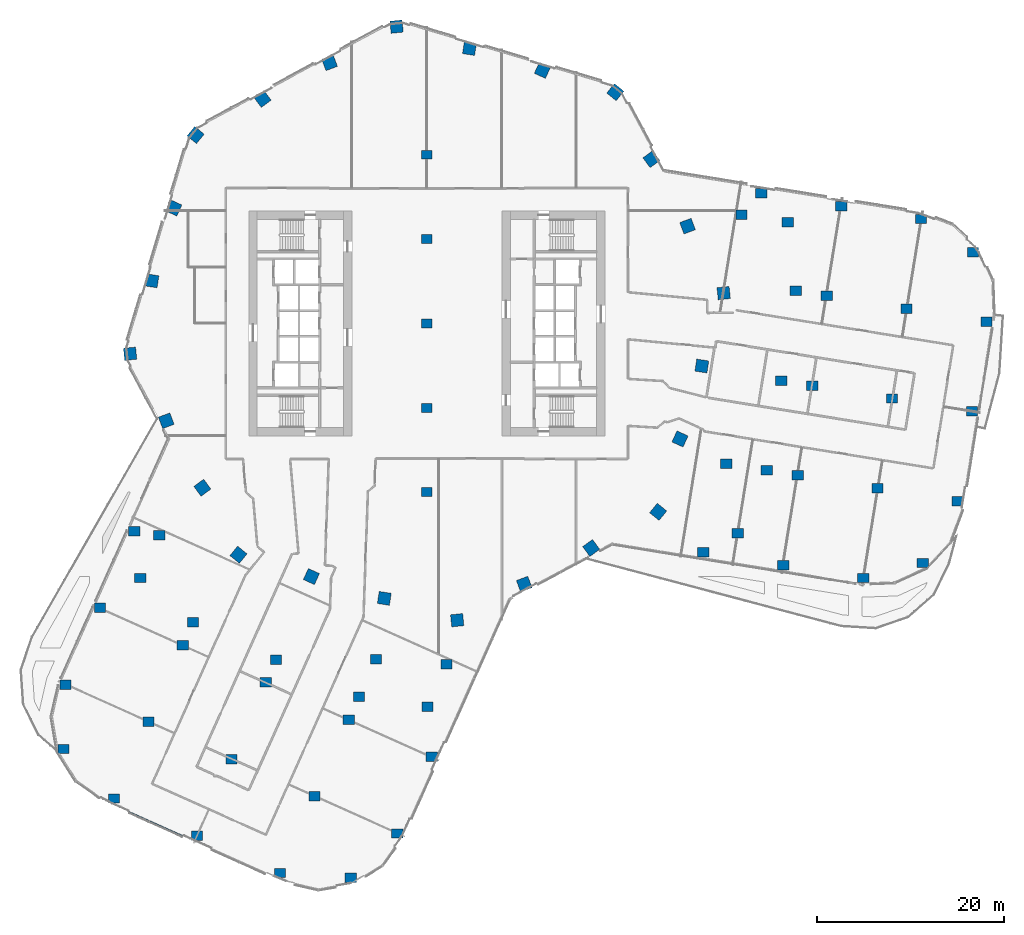
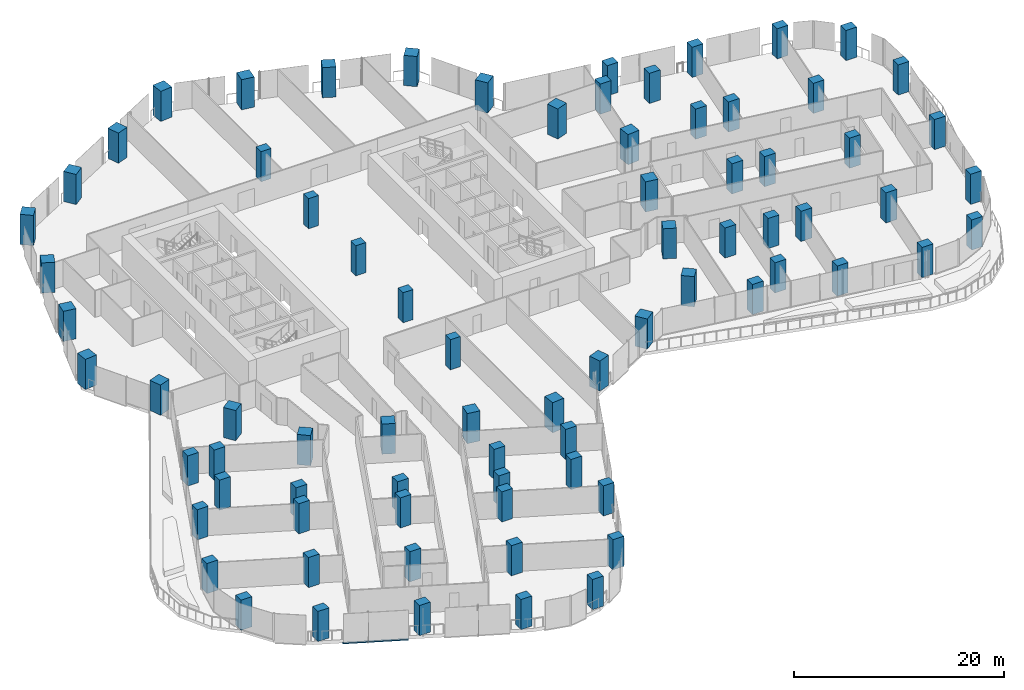
# One storey, part 1 of 32: 77 columns, 1 member, 1 element without a shape of its own.
"""IFC4 building model written with IfcOpenShell, lengths in metres."""

from ifc_helpers import new_model, si_unit, direction, frame, origin, origin_2d, place, context, subcontext, project, spatial, rectangle, extrude, material, material_profile, profile_set, type_object, element, aggregate, save


model = new_model("IFC4")

# Units and contexts
model_context = context("Model", 3, precision=1e-05, world=origin(), true_north=direction((0.0, 1.0)))
body_context = subcontext(model_context, "Body", "Model", "MODEL_VIEW")
ifc_project = project(units=[si_unit("LENGTHUNIT", "METRE"), si_unit("AREAUNIT", "SQUARE_METRE"), si_unit("VOLUMEUNIT", "CUBIC_METRE"), si_unit("PLANEANGLEUNIT", "RADIAN"), si_unit("MASSUNIT", "GRAM", prefix="KILO")], contexts=[model_context])

# Site, building, storey
site_placement = place(None, origin())
site = spatial("IfcSite", under=ifc_project, at=site_placement, CompositionType="ELEMENT")
building_placement = place(site_placement, origin())
building = spatial("IfcBuilding", under=site, at=building_placement, Name="Orlundy Tower", CompositionType="ELEMENT")
storey_placement = place(building_placement, frame((0.0, 0.0, 123.699951171875)))
storey = spatial("IfcBuildingStorey", under=building, at=storey_placement, Name="L31", CompositionType="ELEMENT", Elevation=123.699951171875)

# Columns
ifc_material_1 = material(Name="Concrete C80/95", Category="concrete")
ifc_material_profile_1 = material_profile(ifc_material_1, rectangle(XDim=1.10009765625, YDim=0.949951171875, at=origin_2d()), Name="RC1100X950")
ifc_profile_set_1 = profile_set([ifc_material_profile_1], Name="Concrete C80/95")
column_type_1 = type_object("IfcColumnType", Name="RC COLUMN RC1100X950 C80/95", PredefinedType="COLUMN", material=ifc_profile_set_1)
for number, where, z_axis, x_axis, name in (
    (1, (0.0, -18.0, 0.0), (0.0, 0.0, 1.0), (1.0, 0.0, 0.0), "Column C-M1 L31"),
    (2, (0.0, -9.0, 0.0), (0.0, 0.0, 1.0), (1.0, 0.0, 0.0), "Column C-M2 L31"),
    (3, (0.0, 0.0, 0.0), (0.0, 0.0, 1.0), (1.0, 0.0, 0.0), "Column C-M3 L31"),
    (4, (0.0, 9.0, 0.0), (0.0, 0.0, 1.0), (1.0, 0.0, 0.0), "Column C-M4 L31"),
    (5, (0.0, 18.0, 0.0), (0.0, 0.0, 1.0), (1.0, 0.0, 0.0), "Column C-M5 L31"),
):
    element("IfcColumn", number, at=place(storey_placement, frame(where, z_axis=z_axis, x_axis=x_axis)), inside=storey, type_object=column_type_1, Name=name, PredefinedType="COLUMN", context=body_context, shape_type="SweptSolid", body=[
        extrude(rectangle(XDim=1.10009765625, YDim=0.949951171875, at=origin_2d()), origin(), (0.0, 0.0, 1.0), 3.5),
    ])
ifc_material_2 = material(Name="Concrete C80/95", Category="concrete")
ifc_material_profile_2 = material_profile(ifc_material_2, rectangle(XDim=1.199951171875, YDim=1.0, at=origin_2d()), Name="RC1200X1000")
ifc_profile_set_2 = profile_set([ifc_material_profile_2], Name="Concrete C80/95")
column_type_2 = type_object("IfcColumnType", Name="RC COLUMN RC1200X1000 C80/95", PredefinedType="COLUMN", material=ifc_profile_set_2)
for number, where, z_axis, x_axis, name in (
    (6, (29.488037109375, -24.408935546875, 0.0), (0.0, 0.0, 1.0), (1.0, 0.0, 0.0), "Column C-A1-1 L31"),
    (7, (38.010986328125, -25.784912109375, 0.0), (0.0, 0.0, 1.0), (1.0, 0.0, 0.0), "Column C-A1-2 L31"),
    (8, (46.534912109375, -27.156005859375, 0.0), (0.0, 0.0, 1.0), (1.0, 0.0, 0.0), "Column C-A1-3 L31"),
    (9, (52.89892578125, -25.547119140625, 0.0), (0.0, 0.0, 1.0), (1.0, 0.0, 0.0), "Column C-A1-5 L31"),
    (10, (33.154052734375, -22.361083984375, 0.0), (0.0, 0.0, 1.0), (1.0, 0.0, 0.0), "Column C-A1-6 L31"),
    (11, (39.555908203125, -16.208984375, 0.0), (0.0, 0.0, 1.0), (1.0, 0.0, 0.0), "Column C-A2-2 L31"),
    (12, (48.0791015625, -17.583984375, 0.0), (0.0, 0.0, 1.0), (1.0, 0.0, 0.0), "Column C-A2-3 L31"),
    (13, (56.60302734375, -18.958984375, 0.0), (0.0, 0.0, 1.0), (1.0, 0.0, 0.0), "Column C-A2-5 L31"),
    (14, (36.26611328125, -15.677978515625, 0.0), (0.0, 0.0, 1.0), (1.0, 0.0, 0.0), "Column C-A2-6 L31"),
    (15, (31.922119140625, -14.97705078125, 0.0), (0.0, 0.0, 1.0), (1.0, 0.0, 0.0), "Column C-A2-7 L31"),
    (16, (41.10205078125, -6.632080078125, 0.0), (0.0, 0.0, 1.0), (1.0, 0.0, 0.0), "Column C-A3-2 L31"),
    (17, (49.625, -8.008056640625, 0.0), (0.0, 0.0, 1.0), (1.0, 0.0, 0.0), "Column C-A3-3 L31"),
    (18, (58.14794921875, -9.383056640625, 0.0), (0.0, 0.0, 1.0), (1.0, 0.0, 0.0), "Column C-A3-5 L31"),
    (19, (37.81103515625, -6.10107421875, 0.0), (0.0, 0.0, 1.0), (1.0, 0.0, 0.0), "Column C-A3-6 L31"),
    (20, (42.64697265625, 2.944091796875, 0.0), (0.0, 0.0, 1.0), (1.0, 0.0, 0.0), "Column C-A4-2 L31"),
    (21, (51.169921875, 1.568115234375, 0.0), (0.0, 0.0, 1.0), (1.0, 0.0, 0.0), "Column C-A4-3 L31"),
    (22, (59.693115234375, 0.193115234375, 0.0), (0.0, 0.0, 1.0), (1.0, 0.0, 0.0), "Column C-A4-5 L31"),
    (23, (39.35595703125, 3.47509765625, 0.0), (0.0, 0.0, 1.0), (1.0, 0.0, 0.0), "Column C-A4-6 L31"),
    (24, (35.6689453125, 13.89501953125, 0.0), (0.0, 0.0, 1.0), (1.0, 0.0, 0.0), "Column C-A5-1 L31"),
    (25, (44.19189453125, 12.52001953125, 0.0), (0.0, 0.0, 1.0), (1.0, 0.0, 0.0), "Column C-A5-2 L31"),
    (26, (52.715087890625, 11.139892578125, 0.0), (0.0, 0.0, 1.0), (1.0, 0.0, 0.0), "Column C-A5-3 L31"),
    (27, (58.25, 7.611083984375, 0.0), (0.0, 0.0, 1.0), (1.0, 0.0, 0.0), "Column C-A5-5 L31"),
    (28, (38.5048828125, 10.797119140625, 0.0), (0.0, 0.0, 1.0), (1.0, 0.0, 0.0), "Column C-A5-6 L31"),
    (29, (33.569091796875, 11.593994140625, 0.0), (0.0, 0.0, 1.0), (1.0, 0.0, 0.0), "Column C-A5-7 L31"),
    (30, (-31.2099609375, -22.166015625, 0.0), (0.0, 0.0, 1.0), (1.0, 0.0, 0.0), "Column C-B1-1 L31"),
    (31, (-34.881103515625, -30.345947265625, 0.0), (0.0, 0.0, 1.0), (1.0, 0.0, 0.0), "Column C-B1-2 L31"),
    (32, (-38.551025390625, -38.527099609375, 0.0), (0.0, 0.0, 1.0), (1.0, 0.0, 0.0), "Column C-B1-3 L31"),
    (33, (-38.777099609375, -45.39697265625, 0.0), (0.0, 0.0, 1.0), (1.0, 0.0, 0.0), "Column C-B1-5 L31"),
    (34, (-30.589111328125, -27.14990234375, 0.0), (0.0, 0.0, 1.0), (1.0, 0.0, 0.0), "Column C-B1-6 L31"),
    (35, (-28.5419921875, -22.587890625, 0.0), (0.0, 0.0, 1.0), (1.0, 0.0, 0.0), "Column C-B1-7 L31"),
    (36, (-26.031005859375, -34.318115234375, 0.0), (0.0, 0.0, 1.0), (1.0, 0.0, 0.0), "Column C-B2-2 L31"),
    (37, (-29.701904296875, -42.498046875, 0.0), (0.0, 0.0, 1.0), (1.0, 0.0, 0.0), "Column C-B2-3 L31"),
    (38, (-33.3720703125, -50.678955078125, 0.0), (0.0, 0.0, 1.0), (1.0, 0.0, 0.0), "Column C-B2-5 L31"),
    (39, (-24.93896484375, -31.885009765625, 0.0), (0.0, 0.0, 1.0), (1.0, 0.0, 0.0), "Column C-B2-6 L31"),
    (40, (-17.180908203125, -38.2890625, 0.0), (0.0, 0.0, 1.0), (1.0, 0.0, 0.0), "Column C-B3-2 L31"),
    (41, (-20.85205078125, -46.468994140625, 0.0), (0.0, 0.0, 1.0), (1.0, 0.0, 0.0), "Column C-B3-3 L31"),
    (42, (-24.52294921875, -54.64990234375, 0.0), (0.0, 0.0, 1.0), (1.0, 0.0, 0.0), "Column C-B3-5 L31"),
    (43, (-16.089111328125, -35.85595703125, 0.0), (0.0, 0.0, 1.0), (1.0, 0.0, 0.0), "Column C-B3-6 L31"),
    (44, (-8.3310546875, -42.260009765625, 0.0), (0.0, 0.0, 1.0), (1.0, 0.0, 0.0), "Column C-B4-2 L31"),
    (45, (-12.001953125, -50.44091796875, 0.0), (0.0, 0.0, 1.0), (1.0, 0.0, 0.0), "Column C-B4-3 L31"),
    (46, (-15.673095703125, -58.62109375, 0.0), (0.0, 0.0, 1.0), (1.0, 0.0, 0.0), "Column C-B4-5 L31"),
    (47, (-7.239013671875, -39.826904296875, 0.0), (0.0, 0.0, 1.0), (1.0, 0.0, 0.0), "Column C-B4-6 L31"),
    (48, (-5.43798828125, -35.81201171875, 0.0), (0.0, 0.0, 1.0), (1.0, 0.0, 0.0), "Column C-B4-7 L31"),
    (49, (0.51904296875, -46.23095703125, 0.0), (0.0, 0.0, 1.0), (1.0, 0.0, 0.0), "Column C-B5-2 L31"),
    (50, (-3.152099609375, -54.412109375, 0.0), (0.0, 0.0, 1.0), (1.0, 0.0, 0.0), "Column C-B5-3 L31"),
    (51, (-8.134033203125, -59.14697265625, 0.0), (0.0, 0.0, 1.0), (1.0, 0.0, 0.0), "Column C-B5-5 L31"),
    (52, (0.053955078125, -40.89990234375, 0.0), (0.0, 0.0, 1.0), (1.0, 0.0, 0.0), "Column C-B5-6 L31"),
    (53, (2.10107421875, -36.337890625, 0.0), (0.0, 0.0, 1.0), (1.0, 0.0, 0.0), "Column C-B5-7 L31"),
):
    element("IfcColumn", number, at=place(storey_placement, frame(where, z_axis=z_axis, x_axis=x_axis)), inside=storey, type_object=column_type_2, Name=name, PredefinedType="COLUMN", context=body_context, shape_type="SweptSolid", body=[
        extrude(rectangle(XDim=1.199951171875, YDim=1.0, at=origin_2d()), origin(), (0.0, 0.0, 1.0), 3.5),
    ])
ifc_material_3 = material(Name="Concrete C80/95", Category="concrete")
ifc_material_profile_3 = material_profile(ifc_material_3, rectangle(XDim=1.300048828125, YDim=1.300048828125, at=origin_2d()), Name="RC1300X1300")
ifc_profile_set_3 = profile_set([ifc_material_profile_3], Name="Concrete C80/95")
column_type_3 = type_object("IfcColumnType", Name="RC COLUMN RC1300X1300 C80/95", PredefinedType="COLUMN", material=ifc_profile_set_3)
for number, where, z_axis, x_axis, name in (
    (54, (20.097900390625, 24.672119140625, 0.0), (0.0, 0.0, 1.0), (0.631582861875, 0.775308382894, 0.0), "Column C-H01 L31"),
    (55, (23.950927734375, 17.52587890625, 0.0), (0.0, 0.0, 1.0), (0.807011849138, 0.590535244799, 0.0), "Column C-H02 L31"),
    (56, (27.803955078125, 10.3798828125, 0.0), (0.0, 0.0, 1.0), (0.936843221006, 0.349749595075, 0.0), "Column C-H03 L31"),
    (57, (31.657958984375, 3.23388671875, 0.0), (0.0, 0.0, 1.0), (0.994822339568, 0.101629290543, 0.0), "Column C-H04 L31"),
    (58, (29.3291015625, -4.54296875, 0.0), (0.0, 0.0, 1.0), (0.988215027151, -0.153072074896, 0.0), "Column C-H05 L31"),
    (59, (27.0009765625, -12.321044921875, 0.0), (0.0, 0.0, 1.0), (0.909758504877, -0.415137884087, 0.0), "Column C-H06 L31"),
    (60, (24.672119140625, -20.097900390625, 0.0), (0.0, 0.0, 1.0), (0.775308382894, -0.631582861875, 0.0), "Column C-H07 L31"),
    (61, (17.52587890625, -23.950927734375, 0.0), (0.0, 0.0, 1.0), (0.590535244799, -0.807011849138, 0.0), "Column C-H08 L31"),
    (62, (10.3798828125, -27.803955078125, 0.0), (0.0, 0.0, 1.0), (0.349749595075, -0.936843221006, 0.0), "Column C-H09 L31"),
    (63, (3.23388671875, -31.657958984375, 0.0), (0.0, 0.0, 1.0), (0.101629290543, -0.994822339568, 0.0), "Column C-H10 L31"),
    (64, (-4.54296875, -29.3291015625, 0.0), (0.0, 0.0, 1.0), (-0.153072074896, -0.988215027151, 0.0), "Column C-H11 L31"),
    (65, (-12.321044921875, -27.0009765625, 0.0), (0.0, 0.0, 1.0), (-0.415137884087, -0.909758504877, 0.0), "Column C-H12 L31"),
    (66, (-20.097900390625, -24.672119140625, 0.0), (0.0, 0.0, 1.0), (-0.631582861875, -0.775308382894, 0.0), "Column C-H13 L31"),
    (67, (-23.950927734375, -17.52587890625, 0.0), (0.0, 0.0, 1.0), (-0.807011849138, -0.590535244799, 0.0), "Column C-H14 L31"),
    (68, (-27.803955078125, -10.3798828125, 0.0), (0.0, 0.0, 1.0), (-0.936843221006, -0.349749595075, 0.0), "Column C-H15 L31"),
    (69, (-31.657958984375, -3.23388671875, 0.0), (0.0, 0.0, 1.0), (-0.994822339568, -0.101629290543, 0.0), "Column C-H16 L31"),
    (70, (-29.3291015625, 4.54296875, 0.0), (0.0, 0.0, 1.0), (-0.988215027151, 0.153072074896, 0.0), "Column C-H17 L31"),
    (71, (-27.0009765625, 12.321044921875, 0.0), (0.0, 0.0, 1.0), (-0.909758504877, 0.415137884087, 0.0), "Column C-H18 L31"),
    (72, (-24.672119140625, 20.097900390625, 0.0), (0.0, 0.0, 1.0), (-0.775308382894, 0.631582861875, 0.0), "Column C-H19 L31"),
    (73, (-17.52587890625, 23.950927734375, 0.0), (0.0, 0.0, 1.0), (-0.590535244799, 0.807011849138, 0.0), "Column C-H20 L31"),
    (74, (-10.3798828125, 27.803955078125, 0.0), (0.0, 0.0, 1.0), (-0.349749595075, 0.936843221006, 0.0), "Column C-H21 L31"),
    (75, (-3.23388671875, 31.657958984375, 0.0), (0.0, 0.0, 1.0), (-0.101629290543, 0.994822339568, 0.0), "Column C-H22 L31"),
    (76, (4.54296875, 29.3291015625, 0.0), (0.0, 0.0, 1.0), (0.153072074896, 0.988215027151, 0.0), "Column C-H23 L31"),
    (77, (12.321044921875, 27.0009765625, 0.0), (0.0, 0.0, 1.0), (0.415137884087, 0.909758504877, 0.0), "Column C-H24 L31"),
):
    element("IfcColumn", number, at=place(storey_placement, frame(where, z_axis=z_axis, x_axis=x_axis)), inside=storey, type_object=column_type_3, Name=name, PredefinedType="COLUMN", context=body_context, shape_type="SweptSolid", body=[
        extrude(rectangle(XDim=1.300048828125, YDim=1.300048828125, at=origin_2d()), origin(), (0.0, 0.0, 1.0), 3.5),
    ])

# Curtain wall, member
ifc_material_4 = material(Name="Aluminium bronze anodised", Category="aluminium")
curtain_wall_type = type_object("IfcCurtainWallType", Name="CW1 wall", PredefinedType="NOTDEFINED", material=ifc_material_4)
curtain_wall_placement = place(storey_placement, origin())
curtain_wall = element("IfcCurtainWall", 78, at=curtain_wall_placement, inside=storey, type_object=curtain_wall_type, Name="CW1 run 023", PredefinedType="NOTDEFINED")
ifc_material_5 = material(Name="Aluminium bronze anodised", Category="aluminium")
ifc_material_profile_4 = material_profile(ifc_material_5, rectangle(XDim=0.179931640625, YDim=0.1201171875, at=origin_2d()), Name="CW1 transom 180x120")
ifc_profile_set_4 = profile_set([ifc_material_profile_4], Name="Aluminium bronze anodised")
member_type = type_object("IfcMemberType", Name="CW1 transom 180x120", PredefinedType="USERDEFINED", material=ifc_profile_set_4)
member_placement = place(storey_placement, frame((-26.076171875, -54.709228515625, -0.33984375), z_axis=(-0.912357407577, 0.409394627272, 0.0), x_axis=(-0.409394627272, -0.912357407577, 0.0)))
member = element("IfcMember", 79, at=member_placement, type_object=member_type, Name="CW1 transom", ObjectType="TRANSOM", PredefinedType="USERDEFINED", context=body_context, shape_type="SweptSolid", body=[
    extrude(rectangle(XDim=0.179931640625, YDim=0.1201171875, at=origin_2d()), origin(), (0.0, 0.0, 1.0), 6.290771484375),
])
aggregate(curtain_wall, [member])

save(model, "model.ifc")
